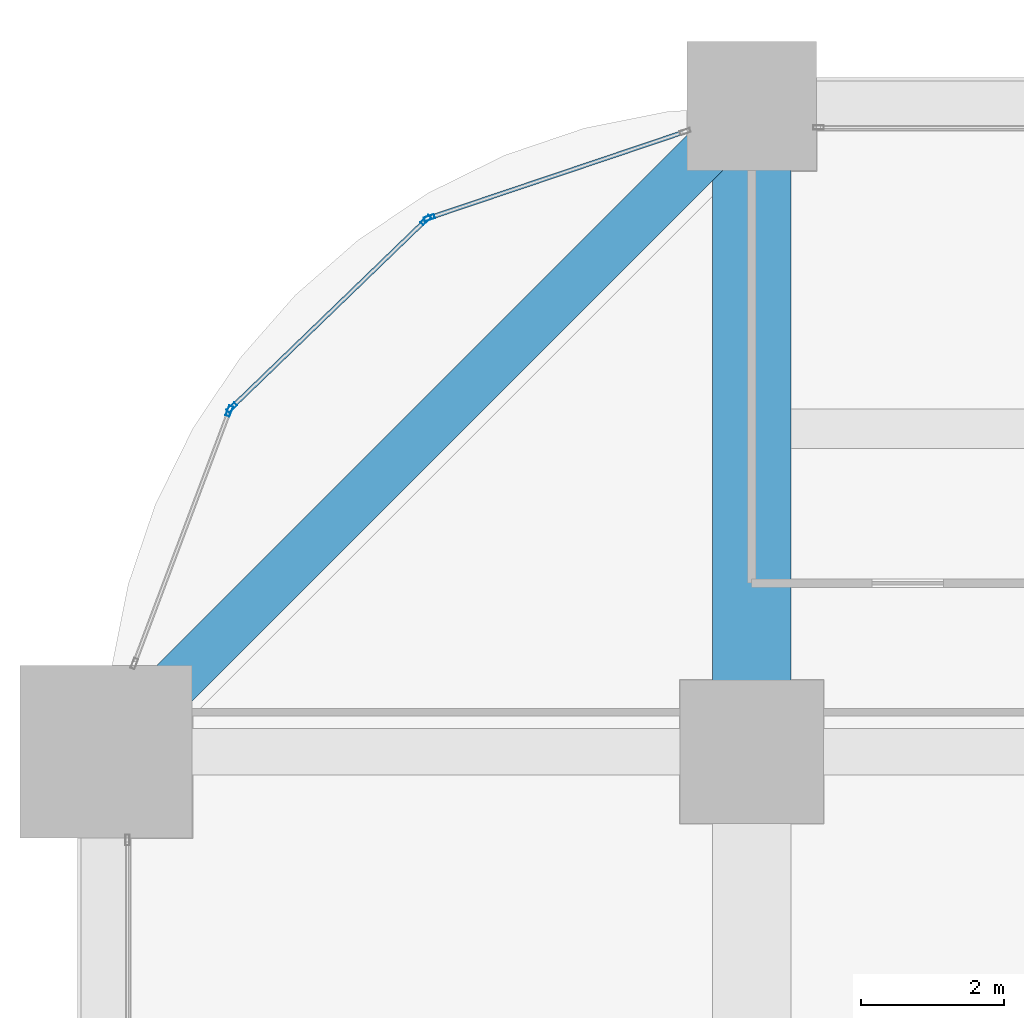
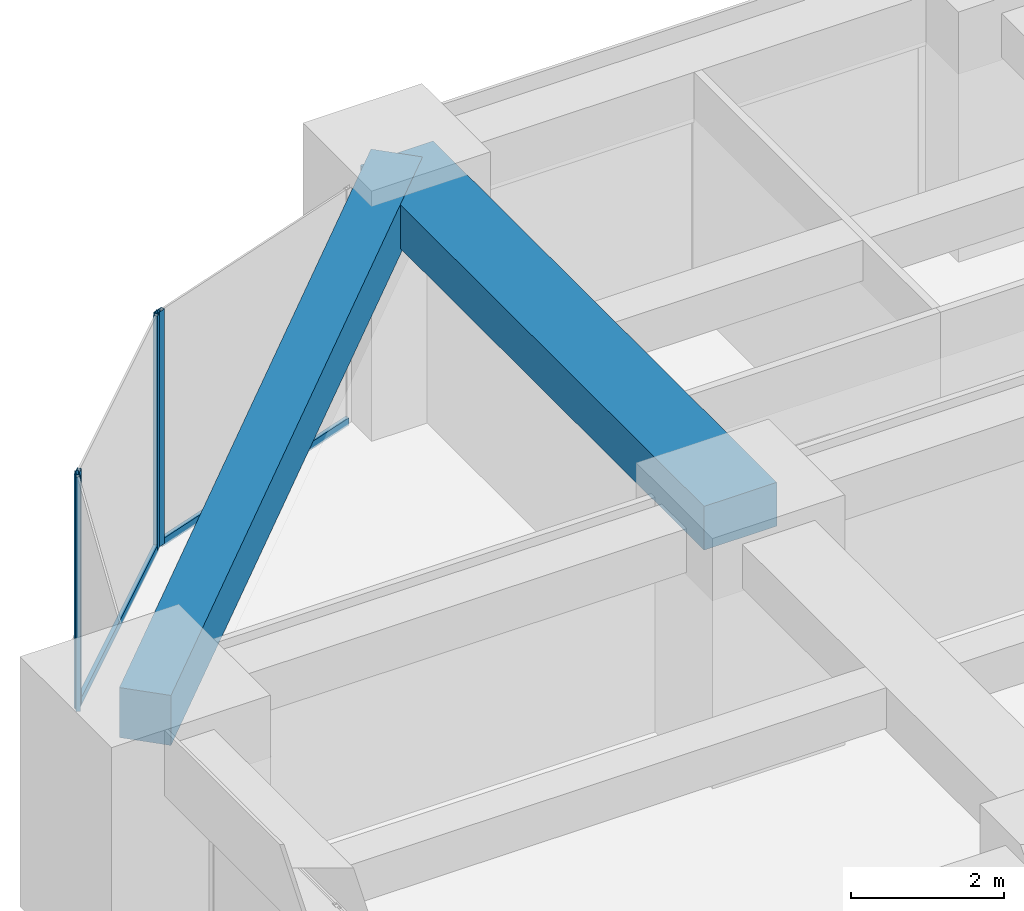
# One storey, part 26 of 40: 6 members, 2 beams, 3 elements without a shape of their own.
"""IFC4 building model written with IfcOpenShell, lengths in metres."""

from ifc_helpers import new_model, si_unit, direction, frame, origin, origin_2d, place, context, subcontext, project, spatial, rectangle, hollow_rectangle, extrude, material, material_profile, profile_set, type_object, element, aggregate, save


model = new_model("IFC4")

# Units and contexts
model_context = context("Model", 3, precision=1e-05, world=origin(), true_north=direction((0.0, 1.0)))
body_context = subcontext(model_context, "Body", "Model", "MODEL_VIEW")
ifc_project = project(units=[si_unit("LENGTHUNIT", "METRE"), si_unit("AREAUNIT", "SQUARE_METRE"), si_unit("VOLUMEUNIT", "CUBIC_METRE"), si_unit("PLANEANGLEUNIT", "RADIAN"), si_unit("MASSUNIT", "GRAM", prefix="KILO")], contexts=[model_context])

# Site, building, storey
site_placement = place(None, origin())
site = spatial("IfcSite", under=ifc_project, at=site_placement, CompositionType="ELEMENT")
building_placement = place(site_placement, origin())
building = spatial("IfcBuilding", under=site, at=building_placement, Name="Zorevar Civic Tower", CompositionType="ELEMENT")
storey_placement = place(building_placement, frame((0.0, 0.0, 93.0)))
storey = spatial("IfcBuildingStorey", under=building, at=storey_placement, Name="L22", CompositionType="ELEMENT", Elevation=93.0)

# Beam
ifc_material_1 = material(Name="Concrete C50/60", Category="concrete")
ifc_material_profile_1 = material_profile(ifc_material_1, rectangle(XDim=1.10009765625, YDim=0.699951171875, at=origin_2d()), Name="RC 1100x700")
ifc_profile_set_1 = profile_set([ifc_material_profile_1], Name="Concrete C50/60")
beam_type_1 = type_object("IfcBeamType", Name="Beam RC 1100x700", PredefinedType="BEAM", material=ifc_profile_set_1)
beam_1_placement = place(storey_placement, frame((9.0, 36.0, 3.39990234375), z_axis=(0.0, 1.0, 0.0), x_axis=(-1.0, 0.0, 0.0)))
element("IfcBeam", 1, at=beam_1_placement, inside=storey, type_object=beam_type_1, Name="Girder L23", PredefinedType="BEAM", context=body_context, shape_type="SweptSolid", body=[
    extrude(rectangle(XDim=1.10009765625, YDim=0.699951171875, at=origin_2d()), origin(), (0.0, 0.0, 1.0), 9.0),
])

# Curtain wall, member
ifc_material_2 = material(Name="Dark grey solar-control glass in black aluminium frame", Category="aluminium")
curtain_wall_type = type_object("IfcCurtainWallType", Name="Curtain wall CW3 mid zone", PredefinedType="NOTDEFINED", material=ifc_material_2)
curtain_wall_1_placement = place(storey_placement, origin())
curtain_wall_1 = element("IfcCurtainWall", 2, at=curtain_wall_1_placement, inside=storey, type_object=curtain_wall_type, Name="CW3 L22", PredefinedType="NOTDEFINED")
ifc_material_3 = material(Name="Aluminium, black anodised", Category="aluminium")
ifc_material_profile_2 = material_profile(ifc_material_3, hollow_rectangle(XDim=0.06005859375, YDim=0.14990234375, WallThickness=0.00390625, at=origin_2d()), Name="AL 150x60x4")
ifc_profile_set_2 = profile_set([ifc_material_profile_2], Name="Aluminium, black anodised")
member_type_1 = type_object("IfcMemberType", Name="CW3 mullion AL 150x60x4", PredefinedType="MULLION", material=ifc_profile_set_2)
member_1_placement = place(storey_placement, frame((4.506591796875, 43.442138671875, 0.0), z_axis=(0.0, 0.0, 1.0), x_axis=(0.319412525043, -0.947615765406, 0.0)))
member_1 = element("IfcMember", 3, at=member_1_placement, type_object=member_type_1, Name="CW3 mullion 2", PredefinedType="MULLION", context=body_context, shape_type="SweptSolid", body=[
    extrude(hollow_rectangle(XDim=0.06005859375, YDim=0.14990234375, WallThickness=0.00390625, at=origin_2d()), origin(), (0.0, 0.0, 1.0), 3.75),
])

# Curtain wall, members
curtain_wall_2_placement = place(storey_placement, origin())
curtain_wall_2 = element("IfcCurtainWall", 4, at=curtain_wall_2_placement, inside=storey, type_object=curtain_wall_type, Name="CW3 L22", PredefinedType="NOTDEFINED")
member_2_placement = place(storey_placement, frame((4.45654296875, 43.41162109375, 0.0), z_axis=(0.0, 0.0, 1.0), x_axis=(0.694719089155, -0.719281160023, 0.0)))
member_2 = element("IfcMember", 5, at=member_2_placement, type_object=member_type_1, Name="CW3 mullion 1", PredefinedType="MULLION", context=body_context, shape_type="SweptSolid", body=[
    extrude(hollow_rectangle(XDim=0.06005859375, YDim=0.14990234375, WallThickness=0.00390625, at=origin_2d()), origin(), (0.0, 0.0, 1.0), 3.75),
])
member_3_placement = place(storey_placement, frame((1.750732421875, 40.798095703125, 0.0), z_axis=(0.0, 0.0, 1.0), x_axis=(0.694719089155, -0.719281160023, 0.0)))
member_3 = element("IfcMember", 6, at=member_3_placement, type_object=member_type_1, Name="CW3 mullion 2", PredefinedType="MULLION", context=body_context, shape_type="SweptSolid", body=[
    extrude(hollow_rectangle(XDim=0.06005859375, YDim=0.14990234375, WallThickness=0.00390625, at=origin_2d()), origin(), (0.0, 0.0, 1.0), 3.75),
])

# Curtain wall, member
curtain_wall_3_placement = place(storey_placement, origin())
curtain_wall_3 = element("IfcCurtainWall", 7, at=curtain_wall_3_placement, inside=storey, type_object=curtain_wall_type, Name="CW3 L22", PredefinedType="NOTDEFINED")
member_4_placement = place(storey_placement, frame((1.718505859375, 40.749267578125, 0.0), z_axis=(0.0, 0.0, 1.0), x_axis=(0.935950528564, -0.352131520999, 0.0)))
member_4 = element("IfcMember", 8, at=member_4_placement, type_object=member_type_1, Name="CW3 mullion 1", PredefinedType="MULLION", context=body_context, shape_type="SweptSolid", body=[
    extrude(hollow_rectangle(XDim=0.06005859375, YDim=0.14990234375, WallThickness=0.00390625, at=origin_2d()), origin(), (0.0, 0.0, 1.0), 3.75),
])
aggregate(curtain_wall_3, [member_4])

# Member
ifc_material_4 = material(Name="Aluminium, black anodised", Category="aluminium")
ifc_material_profile_3 = material_profile(ifc_material_4, hollow_rectangle(XDim=0.06005859375, YDim=0.1201171875, WallThickness=0.0029296875, at=origin_2d()), Name="AL 120x60x3")
ifc_profile_set_3 = profile_set([ifc_material_profile_3], Name="Aluminium, black anodised")
member_type_2 = type_object("IfcMemberType", Name="CW3 transom AL 120x60x3", PredefinedType="USERDEFINED", material=ifc_profile_set_3)
member_5_placement = place(storey_placement, frame((8.043212890625, 44.634033203125, 0.030029296875), z_axis=(-0.9476295577, -0.319371603893, 0.0), x_axis=(0.319371603893, -0.9476295577, 0.0)))
member_5 = element("IfcMember", 9, at=member_5_placement, type_object=member_type_2, Name="CW3 sill transom", ObjectType="TRANSOM", PredefinedType="USERDEFINED", context=body_context, shape_type="SweptSolid", body=[
    extrude(hollow_rectangle(XDim=0.06005859375, YDim=0.1201171875, WallThickness=0.0029296875, at=origin_2d()), origin(), (0.0, 0.0, 1.0), 3.7021484375),
])

aggregate(curtain_wall_1, [member_1, member_5])

member_6_placement = place(storey_placement, frame((4.43505859375, 43.390869140625, 0.030029296875), z_axis=(-0.719266228526, -0.694734548228, 0.0), x_axis=(0.694734548228, -0.719266228526, 0.0)))
member_6 = element("IfcMember", 10, at=member_6_placement, type_object=member_type_2, Name="CW3 sill transom", ObjectType="TRANSOM", PredefinedType="USERDEFINED", context=body_context, shape_type="SweptSolid", body=[
    extrude(hollow_rectangle(XDim=0.06005859375, YDim=0.1201171875, WallThickness=0.0029296875, at=origin_2d()), origin(), (0.0, 0.0, 1.0), 3.7021484375),
])

aggregate(curtain_wall_2, [member_2, member_3, member_6])

# Beam
ifc_material_5 = material(Name="Concrete C50/60", Category="concrete")
ifc_material_profile_4 = material_profile(ifc_material_5, rectangle(XDim=0.699951171875, YDim=0.800048828125, at=origin_2d()), Name="RC 700x800")
ifc_profile_set_4 = profile_set([ifc_material_profile_4], Name="Concrete C50/60")
beam_type_2 = type_object("IfcBeamType", Name="Edge beam RC 700x800", PredefinedType="SPANDREL", material=ifc_profile_set_4)
beam_2_placement = place(storey_placement, frame((9.0, 45.0, 3.35009765625), z_axis=(-0.707106781187, -0.707106781187, 0.0), x_axis=(0.707106781187, -0.707106781187, 0.0)))
element("IfcBeam", 11, at=beam_2_placement, inside=storey, type_object=beam_type_2, Name="Corner edge beam L23", PredefinedType="SPANDREL", context=body_context, shape_type="SweptSolid", body=[
    extrude(rectangle(XDim=0.699951171875, YDim=0.800048828125, at=origin_2d()), origin(), (0.0, 0.0, 1.0), 12.72802734375),
])

save(model, "model.ifc")
